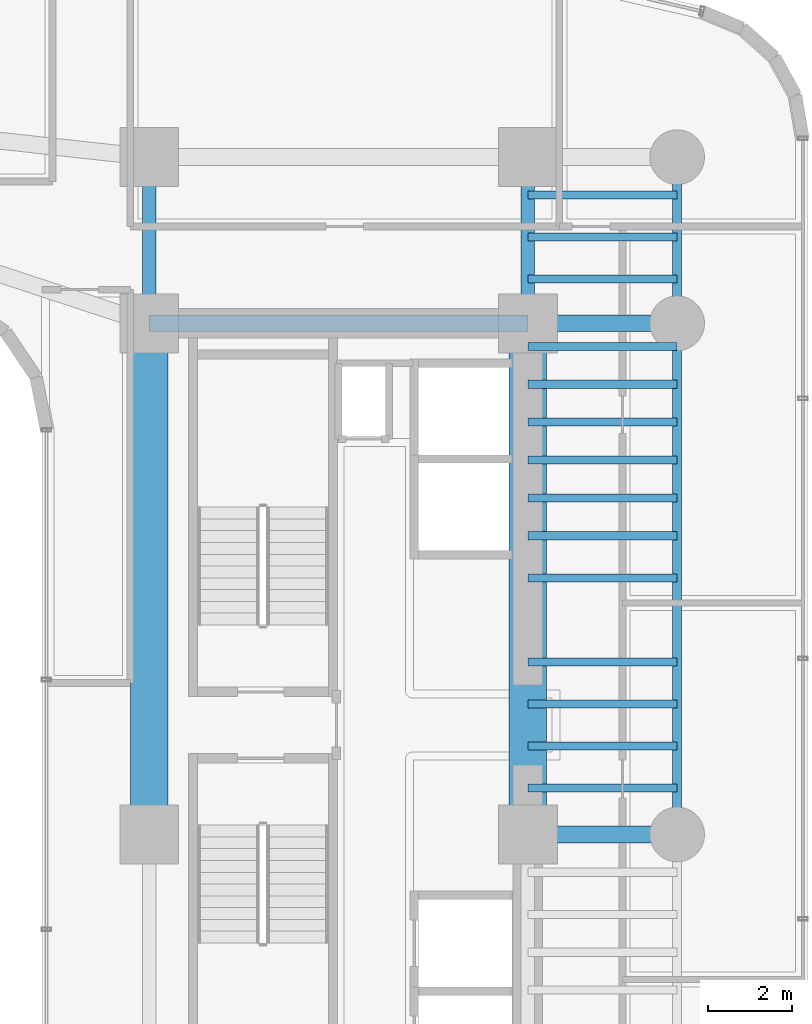
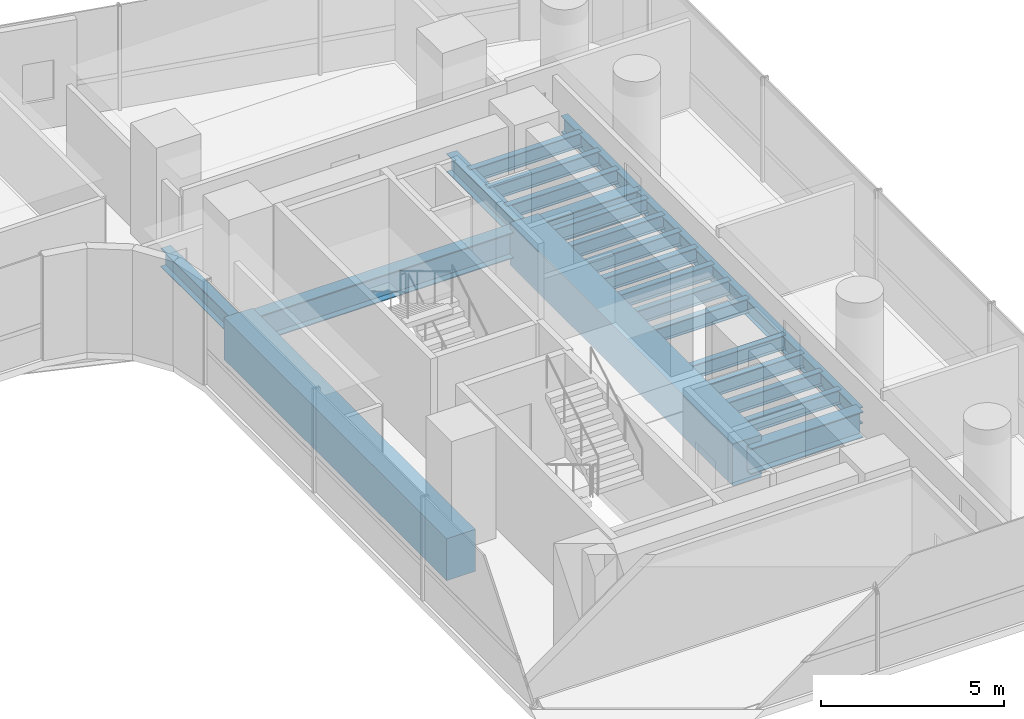
# One storey, part 17 of 39: 23 beams.
"""IFC4 building model written with IfcOpenShell, lengths in metres."""

from ifc_helpers import new_model, si_unit, direction, frame, origin, origin_2d, place, context, subcontext, project, spatial, rectangle, i_section, extrude, source, transform, mapped, material, material_profile, profile_set, type_object, element, save


model = new_model("IFC4")

# Units and contexts
model_context = context("Model", 3, precision=1e-05, world=origin(), true_north=direction((0.0, 1.0)))
body_context = subcontext(model_context, "Body", "Model", "MODEL_VIEW")
ifc_project = project(units=[si_unit("LENGTHUNIT", "METRE"), si_unit("AREAUNIT", "SQUARE_METRE"), si_unit("VOLUMEUNIT", "CUBIC_METRE"), si_unit("PLANEANGLEUNIT", "RADIAN"), si_unit("MASSUNIT", "GRAM", prefix="KILO")], contexts=[model_context])

# Site, building, storey
site_placement = place(None, origin())
site = spatial("IfcSite", under=ifc_project, at=site_placement, CompositionType="ELEMENT")
building_placement = place(site_placement, origin())
building = spatial("IfcBuilding", under=site, at=building_placement, Name="Valdorenza Pilgrim Sanctuary Tower", CompositionType="ELEMENT")
storey_placement = place(building_placement, frame((0.0, 0.0, 33.39990234375)))
storey = spatial("IfcBuildingStorey", under=building, at=storey_placement, Name="L07", CompositionType="ELEMENT", Elevation=33.39990234375)

# Beams
ifc_material_1 = material(Name="Concrete C60/75", Category="concrete")
ifc_material_profile_1 = material_profile(ifc_material_1, rectangle(XDim=0.89990234375, YDim=1.39990234375, at=origin_2d()), Name="RC 1400x900")
ifc_profile_set_1 = profile_set([ifc_material_profile_1], Name="Concrete C60/75")
beam_type_1 = type_object("IfcBeamType", Name="STR-BM-LNT-1400", PredefinedType="LINTEL", material=ifc_profile_set_1)
shared_shape_1 = source(origin(), body_context, "Body", "SweptSolid", [
    extrude(rectangle(XDim=0.89990234375, YDim=1.39990234375, at=origin_2d()), origin(), (0.0, 0.0, 1.0), 12.150146484375),
])
for number, where, z_axis, x_axis, name in (
    (1, (15.85009765625, -2.60009765625, -0.739990234375), (0.0, 1.0, 0.0), (-1.0, 0.0, 0.0), "L07 Core B West Coupling Lintel Girder"),
    (2, (24.85009765625, -2.60009765625, -0.739990234375), (0.0, 1.0, 0.0), (-1.0, 0.0, 0.0), "L07 Core B East Coupling Lintel Girder"),
):
    element("IfcBeam", number, at=place(storey_placement, frame(where, z_axis=z_axis, x_axis=x_axis)), inside=storey, type_object=beam_type_1, Name=name, PredefinedType="LINTEL", context=body_context, shape_type="MappedRepresentation", body=[
        mapped(shared_shape_1, transform((0.0, 0.0, 0.0), x_axis=(1.0, 0.0, 0.0), y_axis=(0.0, 1.0, 0.0), z_axis=(0.0, 0.0, 1.0), scale=1.0)),
    ])
ifc_material_2 = material(Name="Steel ASTM A992 Grade 50", Category="steel")
ifc_material_profile_2 = material_profile(ifc_material_2, i_section(OverallWidth=0.214111328125, OverallDepth=0.549072265625, WebThickness=0.0146484375, FlangeThickness=0.023681640625, at=origin_2d()), Name="W21X93")
ifc_profile_set_2 = profile_set([ifc_material_profile_2], Name="Steel ASTM A992 Grade 50")
beam_type_2 = type_object("IfcBeamType", Name="STR-BM-SPN-W21A", PredefinedType="SPANDREL", material=ifc_profile_set_2)
shared_shape_2 = source(origin(), body_context, "Body", "SweptSolid", [
    extrude(i_section(OverallWidth=0.214111328125, OverallDepth=0.549072265625, WebThickness=0.0146484375, FlangeThickness=0.023681640625, at=origin_2d()), origin(), (0.0, 0.0, 1.0), 12.150146484375),
])
beam_1_placement = place(storey_placement, frame((28.39990234375, -2.60009765625, -0.514404296875), z_axis=(0.0, 1.0, 0.0), x_axis=(-1.0, 0.0, 0.0)))
element("IfcBeam", 3, at=beam_1_placement, inside=storey, type_object=beam_type_2, Name="L07 Spandrel Beam WB-E-M0N1", PredefinedType="SPANDREL", context=body_context, shape_type="MappedRepresentation", body=[
    mapped(shared_shape_2, transform((0.0, 0.0, 0.0), x_axis=(1.0, 0.0, 0.0), y_axis=(0.0, 1.0, 0.0), z_axis=(0.0, 0.0, 1.0), scale=1.0)),
])
ifc_material_profile_3 = material_profile(ifc_material_2, i_section(OverallWidth=0.323974609375, OverallDepth=0.611083984375, WebThickness=0.0126953125, FlangeThickness=0.01904296875, at=origin_2d()), Name="W24X104")
ifc_profile_set_3 = profile_set([ifc_material_profile_3], Name="Steel ASTM A992 Grade 50")
beam_type_3 = type_object("IfcBeamType", Name="STR-BM-GRD-W24B", PredefinedType="BEAM", material=ifc_profile_set_3)
shared_shape_3 = source(origin(), body_context, "Body", "SweptSolid", [
    extrude(i_section(OverallWidth=0.323974609375, OverallDepth=0.611083984375, WebThickness=0.0126953125, FlangeThickness=0.01904296875, at=origin_2d()), origin(), (0.0, 0.0, 1.0), 3.949951171875),
])
for number, where, z_axis, x_axis, name in (
    (4, (15.85009765625, 9.550048828125, -0.54541015625), (0.0, 1.0, 0.0), (-1.0, 0.0, 0.0), "L07 Core Tie Girder CB-W-N1N2"),
    (5, (24.85009765625, 9.550048828125, -0.54541015625), (0.0, 1.0, 0.0), (-1.0, 0.0, 0.0), "L07 Core Tie Girder CB-E-N1N2"),
):
    element("IfcBeam", number, at=place(storey_placement, frame(where, z_axis=z_axis, x_axis=x_axis)), inside=storey, type_object=beam_type_3, Name=name, PredefinedType="BEAM", context=body_context, shape_type="MappedRepresentation", body=[
        mapped(shared_shape_3, transform((0.0, 0.0, 0.0), x_axis=(1.0, 0.0, 0.0), y_axis=(0.0, 1.0, 0.0), z_axis=(0.0, 0.0, 1.0), scale=1.0)),
    ])
shared_shape_4 = source(origin(), body_context, "Body", "SweptSolid", [
    extrude(i_section(OverallWidth=0.214111328125, OverallDepth=0.549072265625, WebThickness=0.0146484375, FlangeThickness=0.023681640625, at=origin_2d()), origin(), (0.0, 0.0, 1.0), 3.949951171875),
])
beam_2_placement = place(storey_placement, frame((28.39990234375, 9.550048828125, -0.514404296875), z_axis=(0.0, 1.0, 0.0), x_axis=(-1.0, 0.0, 0.0)))
element("IfcBeam", 6, at=beam_2_placement, inside=storey, type_object=beam_type_2, Name="L07 Spandrel Beam WB-E-N1N2", PredefinedType="SPANDREL", context=body_context, shape_type="MappedRepresentation", body=[
    mapped(shared_shape_4, transform((0.0, 0.0, 0.0), x_axis=(1.0, 0.0, 0.0), y_axis=(0.0, 1.0, 0.0), z_axis=(0.0, 0.0, 1.0), scale=1.0)),
])
ifc_material_profile_4 = material_profile(ifc_material_2, i_section(OverallWidth=0.193115234375, OverallDepth=0.466064453125, WebThickness=0.011474609375, FlangeThickness=0.01904296875, at=origin_2d()), Name="W18X65")
ifc_profile_set_4 = profile_set([ifc_material_profile_4], Name="Steel ASTM A992 Grade 50")
beam_type_4 = type_object("IfcBeamType", Name="STR-BM-JST-W18A", PredefinedType="JOIST", material=ifc_profile_set_4)
shared_shape_5 = source(origin(), body_context, "Body", "SweptSolid", [
    extrude(i_section(OverallWidth=0.193115234375, OverallDepth=0.466064453125, WebThickness=0.011474609375, FlangeThickness=0.01904296875, at=origin_2d()), origin(), (0.0, 0.0, 1.0), 3.5498046875),
])
for number, where, z_axis, x_axis, name in (
    (7, (24.85009765625, -1.5, -0.472900390625), (1.0, 0.0, 0.0), (0.0, 1.0, 0.0), "L07 Composite Floor Joist JST-WB-8"),
    (8, (24.85009765625, -0.5, -0.472900390625), (1.0, 0.0, 0.0), (0.0, 1.0, 0.0), "L07 Composite Floor Joist JST-WB-9"),
    (9, (24.85009765625, 0.5, -0.472900390625), (1.0, 0.0, 0.0), (0.0, 1.0, 0.0), "L07 Composite Floor Joist JST-WB-10"),
    (10, (24.85009765625, 1.5, -0.472900390625), (1.0, 0.0, 0.0), (0.0, 1.0, 0.0), "L07 Composite Floor Joist JST-WB-11"),
    (11, (24.85009765625, 3.5, -0.472900390625), (1.0, 0.0, 0.0), (0.0, 1.0, 0.0), "L07 Composite Floor Joist JST-WB-12"),
    (12, (24.85009765625, 4.5, -0.472900390625), (1.0, 0.0, 0.0), (0.0, 1.0, 0.0), "L07 Composite Floor Joist JST-WB-13"),
    (13, (24.85009765625, 5.39990234375, -0.472900390625), (1.0, 0.0, 0.0), (0.0, 1.0, 0.0), "L07 Composite Floor Joist JST-WB-14"),
    (14, (24.85009765625, 6.300048828125, -0.472900390625), (1.0, 0.0, 0.0), (0.0, 1.0, 0.0), "L07 Composite Floor Joist JST-WB-15"),
    (15, (24.85009765625, 7.199951171875, -0.472900390625), (1.0, 0.0, 0.0), (0.0, 1.0, 0.0), "L07 Composite Floor Joist JST-WB-16"),
    (16, (24.85009765625, 8.10009765625, -0.472900390625), (1.0, 0.0, 0.0), (0.0, 1.0, 0.0), "L07 Composite Floor Joist JST-WB-17"),
    (17, (24.85009765625, 9.0, -0.472900390625), (1.0, 0.0, 0.0), (0.0, 1.0, 0.0), "L07 Composite Floor Joist JST-WB-18"),
    (18, (24.85009765625, 10.60009765625, -0.472900390625), (1.0, 0.0, 0.0), (0.0, 1.0, 0.0), "L07 Composite Floor Joist JST-WB-19"),
    (19, (24.85009765625, 11.60009765625, -0.472900390625), (1.0, 0.0, 0.0), (0.0, 1.0, 0.0), "L07 Composite Floor Joist JST-WB-20"),
    (20, (24.85009765625, 12.60009765625, -0.472900390625), (1.0, 0.0, 0.0), (0.0, 1.0, 0.0), "L07 Composite Floor Joist JST-WB-21"),
):
    element("IfcBeam", number, at=place(storey_placement, frame(where, z_axis=z_axis, x_axis=x_axis)), inside=storey, type_object=beam_type_4, Name=name, PredefinedType="JOIST", context=body_context, shape_type="MappedRepresentation", body=[
        mapped(shared_shape_5, transform((0.0, 0.0, 0.0), x_axis=(1.0, 0.0, 0.0), y_axis=(0.0, 1.0, 0.0), z_axis=(0.0, 0.0, 1.0), scale=1.0)),
    ])
ifc_material_profile_5 = material_profile(ifc_material_2, i_section(OverallWidth=0.39990234375, OverallDepth=0.862060546875, WebThickness=0.019775390625, FlangeThickness=0.032470703125, at=origin_2d()), Name="W33X221")
ifc_profile_set_5 = profile_set([ifc_material_profile_5], Name="Steel ASTM A992 Grade 50")
beam_type_5 = type_object("IfcBeamType", Name="STR-BM-GRD-W33", PredefinedType="BEAM", material=ifc_profile_set_5)
shared_shape_6 = source(origin(), body_context, "Body", "SweptSolid", [
    extrude(i_section(OverallWidth=0.39990234375, OverallDepth=0.862060546875, WebThickness=0.019775390625, FlangeThickness=0.032470703125, at=origin_2d()), origin(), (0.0, 0.0, 1.0), 9.0),
])
beam_3_placement = place(storey_placement, frame((15.85009765625, 9.550048828125, -0.6708984375), z_axis=(1.0, 0.0, 0.0), x_axis=(0.0, 1.0, 0.0)))
element("IfcBeam", 21, at=beam_3_placement, inside=storey, type_object=beam_type_5, Name="L07 Floor Girder CB-XC-N1", PredefinedType="BEAM", context=body_context, shape_type="MappedRepresentation", body=[
    mapped(shared_shape_6, transform((0.0, 0.0, 0.0), x_axis=(1.0, 0.0, 0.0), y_axis=(0.0, 1.0, 0.0), z_axis=(0.0, 0.0, 1.0), scale=1.0)),
])
shared_shape_7 = source(origin(), body_context, "Body", "SweptSolid", [
    extrude(i_section(OverallWidth=0.39990234375, OverallDepth=0.862060546875, WebThickness=0.019775390625, FlangeThickness=0.032470703125, at=origin_2d()), origin(), (0.0, 0.0, 1.0), 3.5498046875),
])
for number, where, z_axis, x_axis, name in (
    (22, (24.85009765625, -2.60009765625, -0.6708984375), (1.0, 0.0, 0.0), (0.0, 1.0, 0.0), "L07 Floor Girder WB-XE-M0"),
    (23, (24.85009765625, 9.550048828125, -0.6708984375), (1.0, 0.0, 0.0), (0.0, 1.0, 0.0), "L07 Floor Girder WB-XE-N1"),
):
    element("IfcBeam", number, at=place(storey_placement, frame(where, z_axis=z_axis, x_axis=x_axis)), inside=storey, type_object=beam_type_5, Name=name, PredefinedType="BEAM", context=body_context, shape_type="MappedRepresentation", body=[
        mapped(shared_shape_7, transform((0.0, 0.0, 0.0), x_axis=(1.0, 0.0, 0.0), y_axis=(0.0, 1.0, 0.0), z_axis=(0.0, 0.0, 1.0), scale=1.0)),
    ])

save(model, "model.ifc")
